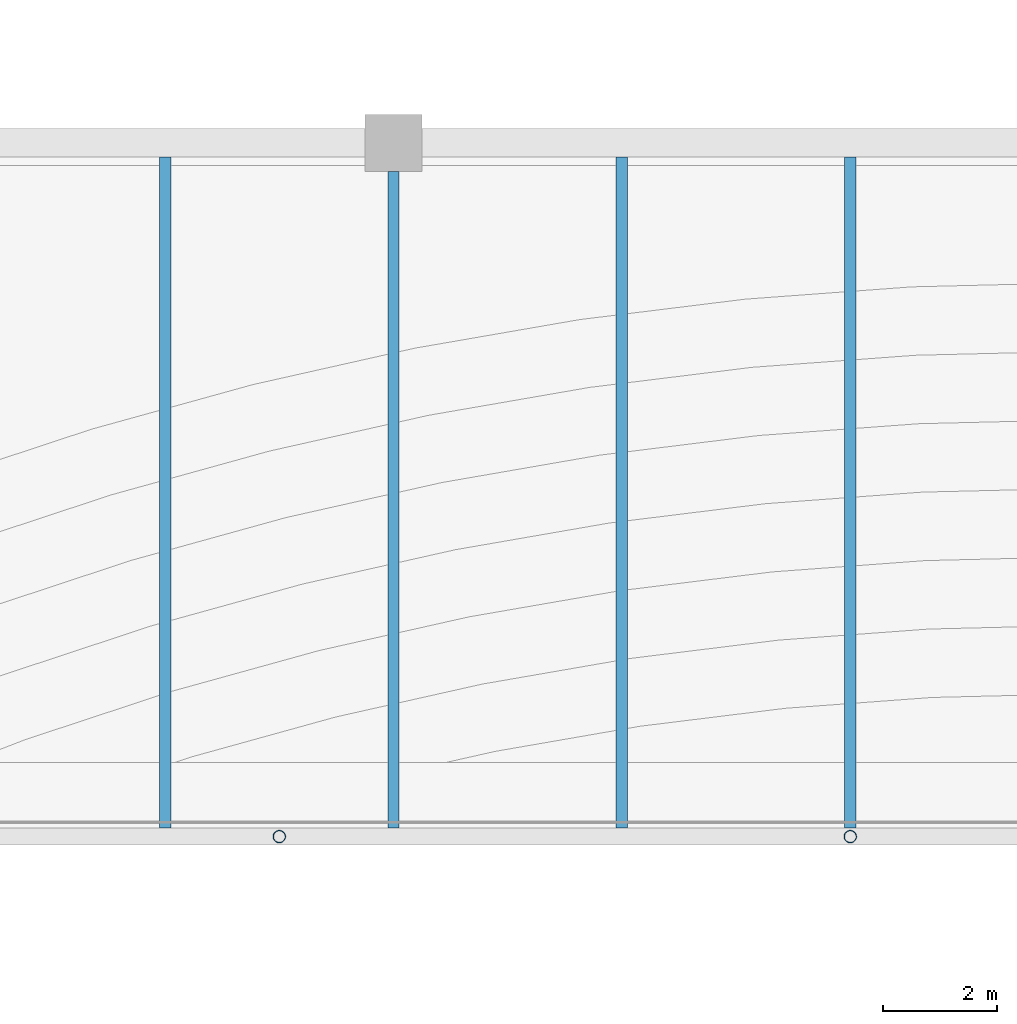
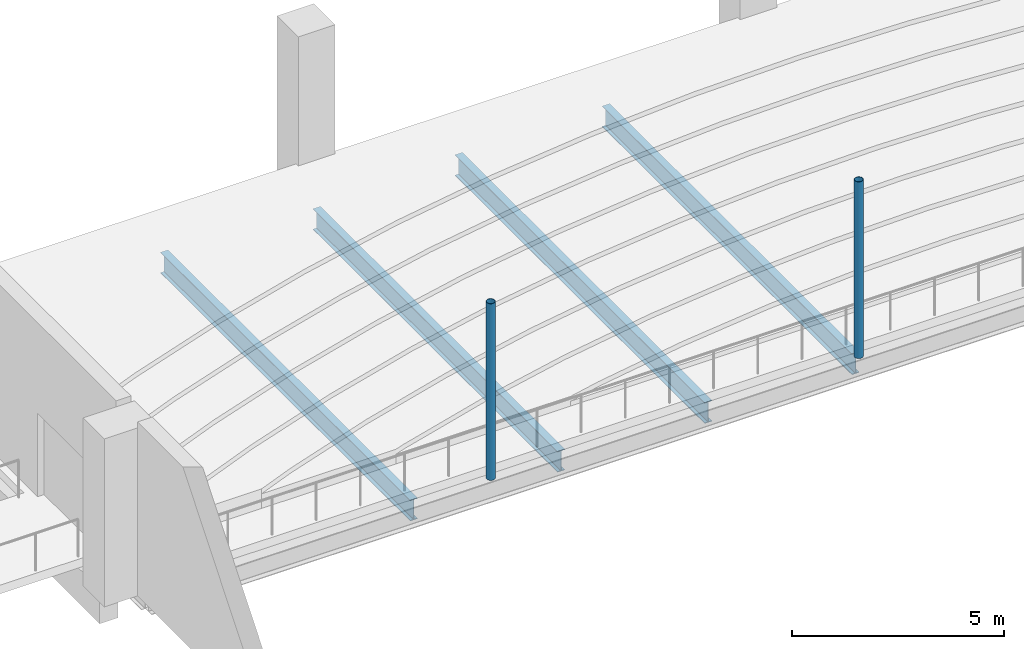
# One storey, part 23 of 69: 4 beams, 2 members.
"""IFC4 building model written with IfcOpenShell, lengths in metres."""

from ifc_helpers import new_model, si_unit, direction, frame, origin, origin_2d, place, context, subcontext, project, spatial, hollow_circle, i_section, extrude, material, material_profile, profile_set, type_object, element, save


model = new_model("IFC4")

# Units and contexts
model_context = context("Model", 3, precision=1e-05, world=origin(), true_north=direction((0.0, 1.0)))
body_context = subcontext(model_context, "Body", "Model", "MODEL_VIEW")
ifc_project = project(units=[si_unit("LENGTHUNIT", "METRE"), si_unit("AREAUNIT", "SQUARE_METRE"), si_unit("VOLUMEUNIT", "CUBIC_METRE"), si_unit("PLANEANGLEUNIT", "RADIAN"), si_unit("MASSUNIT", "GRAM", prefix="KILO")], contexts=[model_context])

# Site, building, storey
site_placement = place(None, origin())
site = spatial("IfcSite", under=ifc_project, at=site_placement, CompositionType="ELEMENT")
building_placement = place(site_placement, origin())
building = spatial("IfcBuilding", under=site, at=building_placement, Name="Lilac Gate Convention Centre", CompositionType="ELEMENT")
storey_placement = place(building_placement, frame((0.0, 0.0, 12.0)))
storey = spatial("IfcBuildingStorey", under=building, at=storey_placement, Name="L02", CompositionType="ELEMENT", Elevation=12.0)

# Beams
ifc_material = material(Name="Steel Q355B", Category="steel")
ifc_material_profile_1 = material_profile(ifc_material, i_section(OverallWidth=0.199951171875, OverallDepth=0.60009765625, WebThickness=0.010986328125, FlangeThickness=0.01708984375, FilletRadius=0.012939453125, at=origin_2d()), Name="HN600x200x11x17")
ifc_profile_set_1 = profile_set([ifc_material_profile_1], Name="Steel Q355B")
beam_type = type_object("IfcBeamType", Name="Balcony beam HN600x200x11x17", PredefinedType="BEAM", material=ifc_profile_set_1)
beam_1_placement = place(storey_placement, frame((38.0, 150.0009765625, -0.550048828125), z_axis=(0.0, 1.0, 0.0), x_axis=(-1.0, 0.0, 0.0)))
element("IfcBeam", 1, at=beam_1_placement, inside=storey, type_object=beam_type, Name="BB2 L02 balcony beam 3", PredefinedType="BEAM", context=body_context, shape_type="SweptSolid", body=[
    extrude(i_section(OverallWidth=0.199951171875, OverallDepth=0.60009765625, WebThickness=0.010986328125, FlangeThickness=0.01708984375, FilletRadius=0.012939453125, at=origin_2d()), origin(), (0.0, 0.0, 1.0), 11.7490234375),
])
beam_2_placement = place(storey_placement, frame((42.0, 150.0009765625, -0.550048828125), z_axis=(0.0, 1.0, 0.0), x_axis=(-1.0, 0.0, 0.0)))
element("IfcBeam", 2, at=beam_2_placement, inside=storey, type_object=beam_type, Name="BB2 L02 balcony beam 4", PredefinedType="BEAM", context=body_context, shape_type="SweptSolid", body=[
    extrude(i_section(OverallWidth=0.199951171875, OverallDepth=0.60009765625, WebThickness=0.010986328125, FlangeThickness=0.01708984375, FilletRadius=0.012939453125, at=origin_2d()), origin(), (0.0, 0.0, 1.0), 11.4990234375),
])
for number, where, z_axis, x_axis, name in (
    (3, (46.0, 150.0009765625, -0.550048828125), (0.0, 1.0, 0.0), (-1.0, 0.0, 0.0), "BB2 L02 balcony beam 5"),
    (4, (50.0, 150.0009765625, -0.550048828125), (0.0, 1.0, 0.0), (-1.0, 0.0, 0.0), "BB2 L02 balcony beam 6"),
):
    element("IfcBeam", number, at=place(storey_placement, frame(where, z_axis=z_axis, x_axis=x_axis)), inside=storey, type_object=beam_type, Name=name, PredefinedType="BEAM", context=body_context, shape_type="SweptSolid", body=[
        extrude(i_section(OverallWidth=0.199951171875, OverallDepth=0.60009765625, WebThickness=0.010986328125, FlangeThickness=0.01708984375, FilletRadius=0.012939453125, at=origin_2d()), origin(), (0.0, 0.0, 1.0), 11.7490234375),
    ])

# Members
ifc_material_profile_2 = material_profile(ifc_material, hollow_circle(Radius=0.109619140625, WallThickness=0.008056640625, at=origin_2d()), Name="CHS219.1x8")
ifc_profile_set_2 = profile_set([ifc_material_profile_2], Name="Steel Q355B")
member_type = type_object("IfcMemberType", Name="Balcony hanger CHS219.1x8", PredefinedType="STRUT", material=ifc_profile_set_2)
for number, where, z_axis, x_axis, name in (
    (5, (40.0, 149.85009765625, -0.25), (0.0, 0.0, 1.0), (1.0, 0.0, 0.0), "HG2 L02 balcony hanger 1"),
    (6, (50.0, 149.85009765625, -0.25), (0.0, 0.0, 1.0), (1.0, 0.0, 0.0), "HG2 L02 balcony hanger 2"),
):
    element("IfcMember", number, at=place(storey_placement, frame(where, z_axis=z_axis, x_axis=x_axis)), inside=storey, type_object=member_type, Name=name, PredefinedType="STRUT", context=body_context, shape_type="SweptSolid", body=[
        extrude(hollow_circle(Radius=0.109619140625, WallThickness=0.008056640625, at=origin_2d()), origin(), (0.0, 0.0, 1.0), 5.074951171875),
    ])

save(model, "model.ifc")
